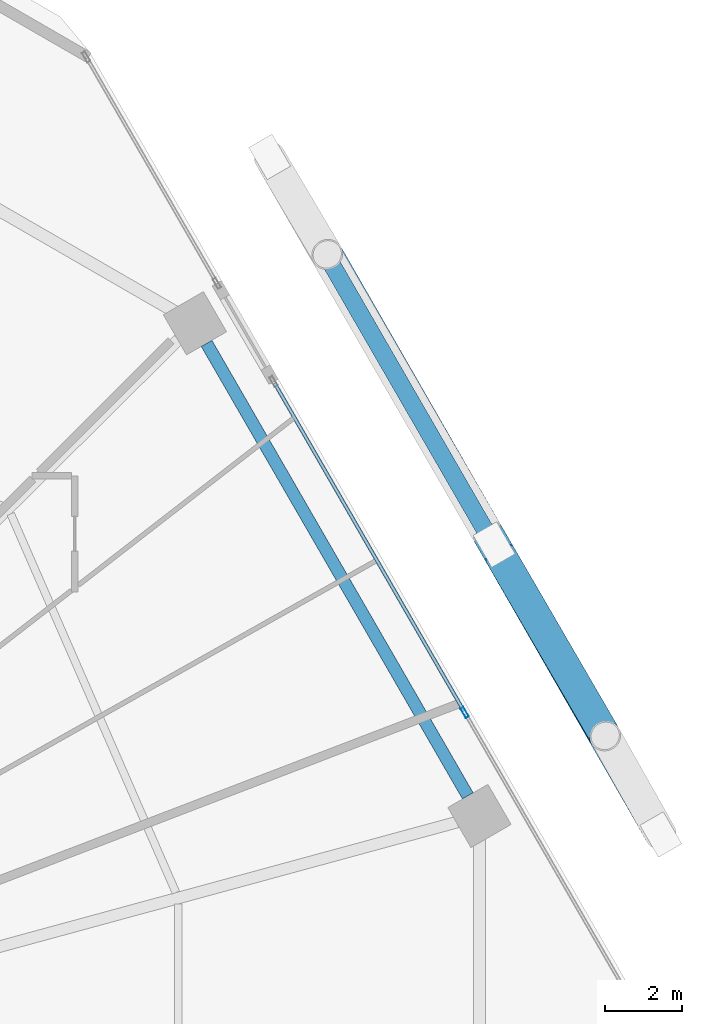
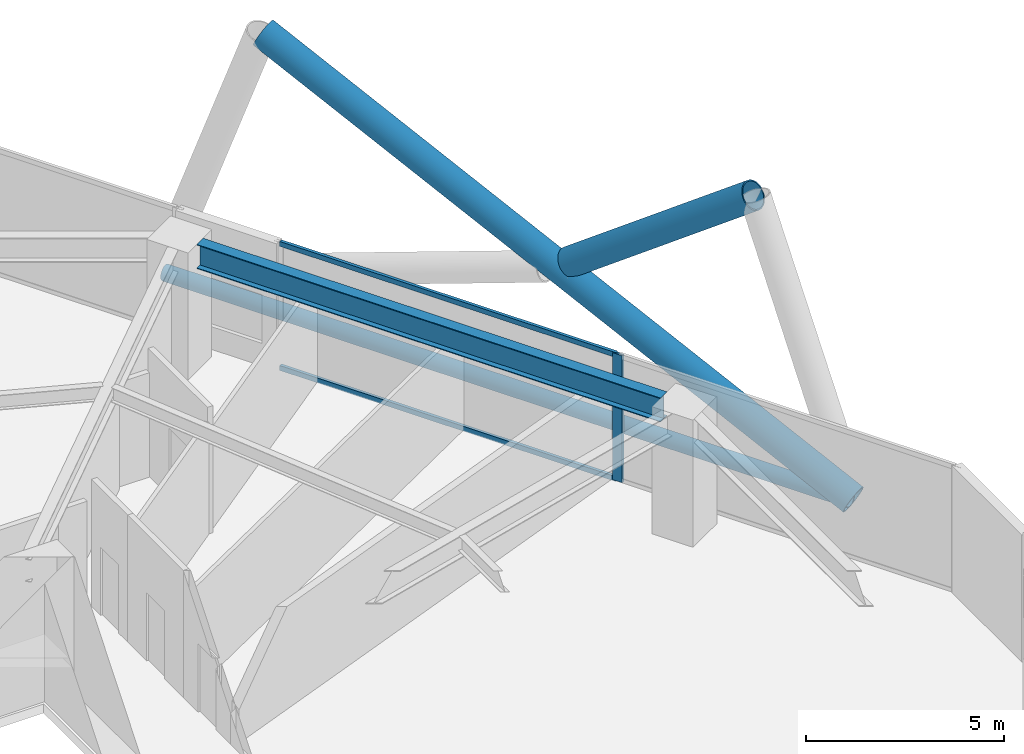
# One storey, part 19 of 28: 6 members, 1 beam, 1 element without a shape of its own.
"""IFC4 building model written with IfcOpenShell, lengths in metres."""

import ifcopenshell
import ifcopenshell.guid

model = None  # the IFC model being written
_history = None  # IfcOwnerHistory: only IFC2X3 demands one
_inside = {}  # id of a spatial element -> (the spatial element, [elements in it])
_under = {}  # id of a project, library or spatial element -> (it, [spatial elements below it])
_declared = {}  # id of a project -> (the project, [libraries it declares])
_typed = {}  # id of a type object -> (the type object, [elements of that type])
_made_of = {}  # id of a material, layer set ... -> (it, [elements and type objects made of it])


def new_model(schema):
    """Start an empty IFC model of exactly this schema.

    Asked for "IFC4X3", IfcOpenShell would pick the latest addendum, in which some entities
    have other attributes; the version numbers below select the first issue.
    IFC2X3 requires an IfcOwnerHistory on every rooted entity: one is made here for all.
    """
    global model, _history
    if schema == "IFC4X3":
        model = ifcopenshell.file(schema_version=(4, 3, 0, 0))
    else:
        model = ifcopenshell.file(schema=schema)
    _inside.clear()
    _under.clear()
    _declared.clear()
    _typed.clear()
    _made_of.clear()
    _history = None
    if model.schema == "IFC2X3":
        org = make("IfcOrganization", Name="unknown")
        user = make(
            "IfcPersonAndOrganization",
            ThePerson=make("IfcPerson", FamilyName="unknown"),
            TheOrganization=org,
        )
        app = make(
            "IfcApplication",
            ApplicationDeveloper=org,
            Version="unknown",
            ApplicationFullName="unknown",
            ApplicationIdentifier="unknown",
        )
        _history = make(
            "IfcOwnerHistory",
            OwningUser=user,
            OwningApplication=app,
            ChangeAction="ADDED",
            CreationDate=0,
        )
    return model


def make(cls, **values):
    """One entity of the class cls with the attributes given. An attribute that is None is left unset."""
    return model.create_entity(
        cls, **{name: value for name, value in values.items() if value is not None}
    )


def rooted(cls, **values):
    """An entity with a GlobalId (a new one), such as an element, a storey or a relation."""
    return make(cls, GlobalId=ifcopenshell.guid.new(), OwnerHistory=_history, **values)


def si_unit(unit_type, name, prefix=None):
    """IfcSIUnit, for example si_unit("LENGTHUNIT", "METRE", prefix="MILLI")."""
    return make("IfcSIUnit", UnitType=unit_type, Prefix=prefix, Name=name)


def assignment(units):
    """IfcUnitAssignment: the units of a project."""
    return None if units is None else make("IfcUnitAssignment", Units=units)


def point(xyz):
    """IfcCartesianPoint."""
    return None if xyz is None else make("IfcCartesianPoint", Coordinates=xyz)


def direction(xyz):
    """IfcDirection."""
    return None if xyz is None else make("IfcDirection", DirectionRatios=xyz)


def frame(location, z_axis=None, x_axis=None):
    """IfcAxis2Placement3D, a coordinate frame: its origin and axes. An axis left out is left unset."""
    return make(
        "IfcAxis2Placement3D",
        Location=point(location),
        Axis=direction(z_axis),
        RefDirection=direction(x_axis),
    )


def frame_2d(location, x_axis=None):
    """IfcAxis2Placement2D, a coordinate frame in the plane: its origin and x axis."""
    return make(
        "IfcAxis2Placement2D", Location=point(location), RefDirection=direction(x_axis)
    )


def origin():
    """The frame at (0, 0, 0) with its axes left unset."""
    return frame((0.0, 0.0, 0.0))


def origin_2d():
    """The frame at (0, 0) in the plane with its x axis left unset."""
    return frame_2d((0.0, 0.0))


def place(relative_to, where):
    """IfcLocalPlacement: puts the frame where relative to a parent placement (None: the world)."""
    return make(
        "IfcLocalPlacement", PlacementRelTo=relative_to, RelativePlacement=where
    )


def context(
    kind, dimensions, precision=None, world=None, true_north=None, identifier=None
):
    """IfcGeometricRepresentationContext, for example the 3D "Model" context."""
    return make(
        "IfcGeometricRepresentationContext",
        ContextIdentifier=identifier,
        ContextType=kind,
        CoordinateSpaceDimension=dimensions,
        Precision=precision,
        WorldCoordinateSystem=world,
        TrueNorth=true_north,
    )


def subcontext(parent, identifier, kind, view, scale=None):
    """IfcGeometricRepresentationSubContext, for example "Body" below "Model"."""
    return make(
        "IfcGeometricRepresentationSubContext",
        ContextIdentifier=identifier,
        ContextType=kind,
        ParentContext=parent,
        TargetScale=scale,
        TargetView=view,
    )


def project(units=None, contexts=None):
    """IfcProject with its units and contexts."""
    return rooted(
        "IfcProject",
        Name="project",
        RepresentationContexts=contexts,
        UnitsInContext=assignment(units),
    )


def spatial(cls, under=None, at=None, **own):
    """A site, building, storey or space (cls), placed at a placement, below another one or the project."""
    s = rooted(cls, ObjectPlacement=at, **own)
    if under is not None:
        _under.setdefault(under.id(), (under, []))[1].append(s)
    return s


def profile(cls, at=None, kind="AREA", **sizes):
    """A parametric profile (cls). Its sizes go by their IFC names, for example OverallWidth=200.0."""
    return make(cls, ProfileType=kind, Position=at, **sizes)


def hollow_rectangle(**sizes):
    """IfcRectangleHollowProfileDef."""
    return profile("IfcRectangleHollowProfileDef", **sizes)


def hollow_circle(**sizes):
    """IfcCircleHollowProfileDef."""
    return profile("IfcCircleHollowProfileDef", **sizes)


def i_section(**sizes):
    """IfcIShapeProfileDef."""
    return profile("IfcIShapeProfileDef", **sizes)


def extrude(swept, where, along, depth):
    """IfcExtrudedAreaSolid: the profile swept, set in the frame where, extruded along a direction by depth."""
    return make(
        "IfcExtrudedAreaSolid",
        SweptArea=swept,
        Position=where,
        ExtrudedDirection=direction(along),
        Depth=depth,
    )


def shape(context_of_items, identifier, shape_type, items):
    """IfcShapeRepresentation: the items that make up one representation, for example the "Body"."""
    return make(
        "IfcShapeRepresentation",
        ContextOfItems=context_of_items,
        RepresentationIdentifier=identifier,
        RepresentationType=shape_type,
        Items=items,
    )


def material(Name=None, Category=None):
    """IfcMaterial."""
    return make("IfcMaterial", Name=Name, Category=Category)


def material_profile(
    of_material, cross_section, Name=None, Category=None, Priority=None
):
    """IfcMaterialProfile: a cross section and its material."""
    return make(
        "IfcMaterialProfile",
        Name=Name,
        Material=of_material,
        Profile=cross_section,
        Priority=Priority,
        Category=Category,
    )


def profile_set(profiles, Name=None, composite=None):
    """IfcMaterialProfileSet."""
    return make(
        "IfcMaterialProfileSet",
        Name=Name,
        MaterialProfiles=profiles,
        CompositeProfile=composite,
    )


def made_of(thing, what):
    """Note that an element or type object is made of a material, layer set ...; save() writes the relation."""
    if what is not None:
        _made_of.setdefault(what.id(), (what, []))[1].append(thing)
    return thing


def type_object(cls, material=None, **own):
    """A type object (cls), such as IfcWallType, which elements share."""
    return made_of(rooted(cls, **own), material)


def element(
    cls,
    number,
    at=None,
    inside=None,
    cuts=None,
    type_object=None,
    material=None,
    context=None,
    identifier="Body",
    shape_type=None,
    held_by="IfcProductDefinitionShape",
    body=None,
    shapes=None,
    **own,
):
    """One element of the class cls, such as IfcWall. Its Tag is "e" and its number.

    at: its placement. inside: the storey or other place that contains it. cuts: it is an
    opening in that element (IfcRelVoidsElement). A single representation is given by context,
    identifier, shape_type and body (its items); several are given by shapes. held_by: the class
    of the entity that holds the representations. save() writes the other relations.
    """
    e = rooted(cls, Tag="e%d" % number, ObjectPlacement=at, **own)
    if body is not None:
        shapes = [shape(context, identifier, shape_type, body)]
    if shapes is not None:
        e.Representation = make(held_by, Representations=shapes)
    if inside is not None:
        _inside.setdefault(inside.id(), (inside, []))[1].append(e)
    if cuts is not None:
        rooted(
            "IfcRelVoidsElement", RelatingBuildingElement=cuts, RelatedOpeningElement=e
        )
    if type_object is not None:
        _typed.setdefault(type_object.id(), (type_object, []))[1].append(e)
    return made_of(e, material)


def aggregate(whole, parts):
    """IfcRelAggregates: a whole, such as a stair, and the parts it consists of."""
    return rooted("IfcRelAggregates", RelatingObject=whole, RelatedObjects=parts)


def save(model, path):
    """Write the relations noted so far, then the file.

    IfcRelAggregates (storeys below a building ...), IfcRelContainedInSpatialStructure (elements
    in a storey), IfcRelDefinesByType, IfcRelAssociatesMaterial and IfcRelDeclares: one each for
    every whole, place, type object, material and project.
    """
    for whole, parts in _under.values():
        aggregate(whole, parts)
    for where, things in _inside.values():
        rooted(
            "IfcRelContainedInSpatialStructure",
            RelatedElements=things,
            RelatingStructure=where,
        )
    for kind, things in _typed.values():
        rooted("IfcRelDefinesByType", RelatedObjects=things, RelatingType=kind)
    for what, things in _made_of.values():
        rooted("IfcRelAssociatesMaterial", RelatedObjects=things, RelatingMaterial=what)
    for by, libraries in _declared.values():
        rooted("IfcRelDeclares", RelatingContext=by, RelatedDefinitions=libraries)
    model.write(path)


model = new_model("IFC4")

# Units and contexts
model_context = context("Model", 3, precision=1e-05, world=origin(), true_north=direction((0.0, 1.0)))
body_context = subcontext(model_context, "Body", "Model", "MODEL_VIEW")
ifc_project = project(units=[si_unit("LENGTHUNIT", "METRE"), si_unit("AREAUNIT", "SQUARE_METRE"), si_unit("VOLUMEUNIT", "CUBIC_METRE"), si_unit("PLANEANGLEUNIT", "RADIAN"), si_unit("MASSUNIT", "GRAM", prefix="KILO")], contexts=[model_context])

# Site, building, storey
site_placement = place(None, origin())
site = spatial("IfcSite", under=ifc_project, at=site_placement, CompositionType="ELEMENT")
building_placement = place(site_placement, origin())
building = spatial("IfcBuilding", under=site, at=building_placement, Name="Zuhravey Tower", CompositionType="ELEMENT")
storey_placement = place(building_placement, frame((0.0, 0.0, 24.60009765625)))
storey = spatial("IfcBuildingStorey", under=building, at=storey_placement, Name="L06", CompositionType="ELEMENT", Elevation=24.60009765625)

# Curtain wall, members
ifc_material_1 = material(Name="Thermally broken anodised aluminium", Category="aluminium")
curtain_wall_type = type_object("IfcCurtainWallType", Name="School Low-E Unitised Curtain Wall CW1", PredefinedType="NOTDEFINED", material=ifc_material_1)
curtain_wall_placement = place(storey_placement, origin())
curtain_wall = element("IfcCurtainWall", 1, at=curtain_wall_placement, inside=storey, type_object=curtain_wall_type, Name="L06 CW1 CW-L06-F1-2", PredefinedType="NOTDEFINED")
ifc_material_2 = material(Name="Anodised aluminium", Category="aluminium")
ifc_material_profile_1 = material_profile(ifc_material_2, hollow_rectangle(XDim=0.090087890625, YDim=0.284912109375, WallThickness=0.0048828125, at=origin_2d()), Name="ALU-RHS-90x285x5")
ifc_profile_set_1 = profile_set([ifc_material_profile_1], Name="Anodised aluminium")
member_type_1 = type_object("IfcMemberType", Name="Curtain-Wall Mullion 90x180", PredefinedType="MULLION", material=ifc_profile_set_1)
member_1_placement = place(storey_placement, frame((63.5068359375, 42.2734375, 0.0), z_axis=(0.0, 0.0, 1.0), x_axis=(0.866025056944, 0.500000600745, 0.0)))
member_1 = element("IfcMember", 2, at=member_1_placement, type_object=member_type_1, Name="CW1 mullion 2", PredefinedType="MULLION", context=body_context, shape_type="SweptSolid", body=[
    extrude(hollow_rectangle(XDim=0.090087890625, YDim=0.284912109375, WallThickness=0.0048828125, at=origin_2d()), origin(), (0.0, 0.0, 1.0), 3.919921875),
])
ifc_material_profile_2 = material_profile(ifc_material_2, hollow_rectangle(XDim=0.090087890625, YDim=0.14990234375, WallThickness=0.0048828125, at=origin_2d()), Name="ALU-RHS-90x150x5")
ifc_profile_set_2 = profile_set([ifc_material_profile_2], Name="Anodised aluminium")
member_type_2 = type_object("IfcMemberType", Name="Curtain-Wall Transom 90x150", PredefinedType="USERDEFINED", material=ifc_profile_set_2)
member_2_placement = place(storey_placement, frame((58.580322265625, 50.806640625, 0.044921875), z_axis=(0.499996815763, -0.866027242197, 0.0), x_axis=(0.866027242197, 0.499996815763, 0.0)))
member_2 = element("IfcMember", 3, at=member_2_placement, type_object=member_type_2, Name="CW1 transom 1.1", ObjectType="TRANSOM", PredefinedType="USERDEFINED", context=body_context, shape_type="SweptSolid", body=[
    extrude(hollow_rectangle(XDim=0.090087890625, YDim=0.14990234375, WallThickness=0.0048828125, at=origin_2d()), origin(), (0.0, 0.0, 1.0), 9.80810546875),
])
member_3_placement = place(storey_placement, frame((58.580322265625, 50.806640625, 3.875), z_axis=(0.499996815763, -0.866027242197, 0.0), x_axis=(0.866027242197, 0.499996815763, 0.0)))
member_3 = element("IfcMember", 4, at=member_3_placement, type_object=member_type_2, Name="CW1 transom 1.2", ObjectType="TRANSOM", PredefinedType="USERDEFINED", context=body_context, shape_type="SweptSolid", body=[
    extrude(hollow_rectangle(XDim=0.090087890625, YDim=0.14990234375, WallThickness=0.0048828125, at=origin_2d()), origin(), (0.0, 0.0, 1.0), 9.80810546875),
])
aggregate(curtain_wall, [member_1, member_2, member_3])

# Members
ifc_material_3 = material(Name="Steel SM355", Category="steel")
ifc_material_profile_3 = material_profile(ifc_material_3, hollow_circle(Radius=0.228515625, WallThickness=0.02197265625, at=origin_2d()), Name="CHS-457.2x22")
ifc_profile_set_3 = profile_set([ifc_material_profile_3], Name="Steel SM355")
member_type_3 = type_object("IfcMemberType", Name="Exoskeleton Ring Tie CHS457x22", PredefinedType="CHORD", material=ifc_profile_set_3)
member_4_placement = place(storey_placement, frame((68.519287109375, 39.231689453125, -0.494140625), z_axis=(-0.499987058157, 0.866032875632, 0.0), x_axis=(-0.866032875632, -0.499987058157, 0.0)))
element("IfcMember", 5, at=member_4_placement, inside=storey, type_object=member_type_3, Name="L06 Exoskeleton Face 1 Tie EXR1", PredefinedType="CHORD", context=body_context, shape_type="SweptSolid", body=[
    extrude(hollow_circle(Radius=0.228515625, WallThickness=0.02197265625, at=origin_2d()), origin(), (0.0, 0.0, 1.0), 19.99365234375),
])
ifc_material_4 = material(Name="Steel SM460", Category="steel")
ifc_material_profile_4 = material_profile(ifc_material_4, hollow_circle(Radius=0.406494140625, WallThickness=0.035888671875, at=origin_2d()), Name="CHS-812.8x36")
ifc_profile_set_4 = profile_set([ifc_material_profile_4], Name="Steel SM460")
member_type_4 = type_object("IfcMemberType", Name="Exoskeleton Zone 1 Diagrid CHS813x36", PredefinedType="BRACE", material=ifc_profile_set_4)
member_5_placement = place(storey_placement, frame((68.566650390625, 39.14990234375, -0.47216796875), z_axis=(-0.448582173106, 0.780090273761, 0.436157309642), x_axis=(-0.866891768768, -0.498496400431, 0.0)))
element("IfcMember", 6, at=member_5_placement, inside=storey, type_object=member_type_4, Name="L06 Face 1 Diagrid Brace 2", PredefinedType="BRACE", context=body_context, shape_type="SweptSolid", body=[
    extrude(hollow_circle(Radius=0.406494140625, WallThickness=0.035888671875, at=origin_2d()), origin(), (0.0, 0.0, 1.0), 19.158203125),
])
member_6_placement = place(storey_placement, frame((64.43017578125, 46.345947265625, 3.9404296875), z_axis=(0.404938114876, -0.697079381763, 0.591697100417), x_axis=(0.864690709359, 0.502304665665, 0.0)))
element("IfcMember", 7, at=member_6_placement, inside=storey, type_object=member_type_4, Name="L06 Face 1 Split Diagrid Brace 3B", PredefinedType="BRACE", context=body_context, shape_type="SweptSolid", body=[
    extrude(hollow_circle(Radius=0.406494140625, WallThickness=0.035888671875, at=origin_2d()), origin(), (0.0, 0.0, 1.0), 6.6513671875),
])

# Beam
ifc_material_profile_5 = material_profile(ifc_material_3, i_section(OverallWidth=0.320068359375, OverallDepth=0.75, WebThickness=0.013916015625, FlangeThickness=0.02490234375, at=origin_2d()), Name="H-750x320x14x25")
ifc_profile_set_5 = profile_set([ifc_material_profile_5], Name="Steel SM355")
beam_type = type_object("IfcBeamType", Name="Perimeter Ring Beam H750x320", PredefinedType="BEAM", material=ifc_profile_set_5)
beam_placement = place(storey_placement, frame((63.587646484375, 40.11376953125, 3.544921875), z_axis=(-0.499999877243, 0.866025474658, 0.0), x_axis=(-0.866025474658, -0.499999877243, 0.0)))
element("IfcBeam", 8, at=beam_placement, inside=storey, type_object=beam_type, Name="L06 PB1 BM-L06-PB-01", PredefinedType="BEAM", context=body_context, shape_type="SweptSolid", body=[
    extrude(i_section(OverallWidth=0.320068359375, OverallDepth=0.75, WebThickness=0.013916015625, FlangeThickness=0.02490234375, at=origin_2d()), origin(), (0.0, 0.0, 1.0), 13.5341796875),
])

save(model, "model.ifc")
